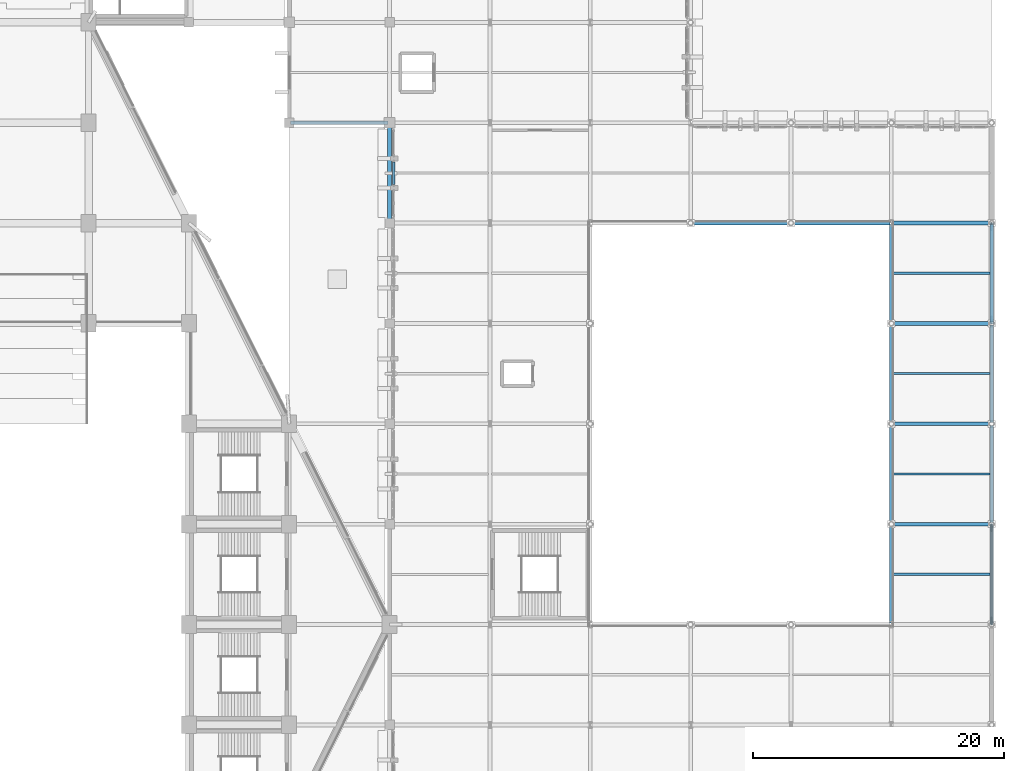
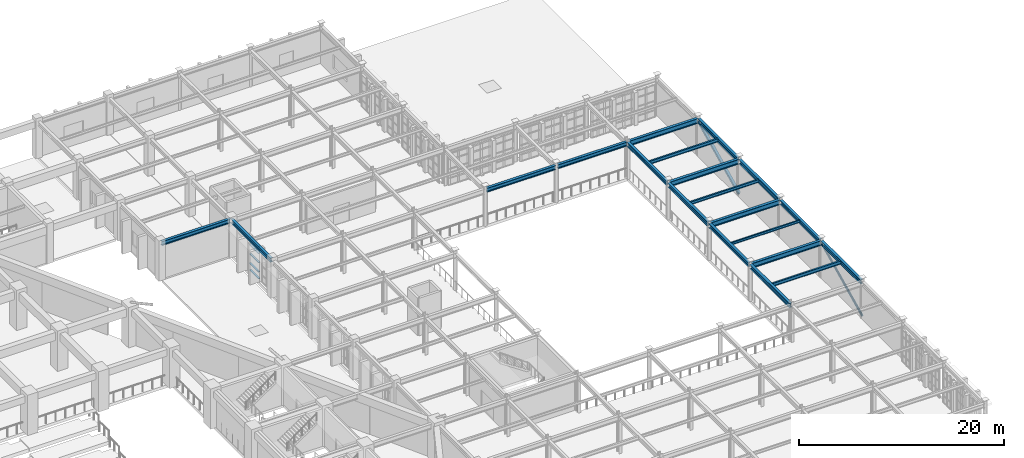
# One storey, part 41 of 155: 20 beams, 7 members, 1 element without a shape of its own.
"""IFC4 building model written with IfcOpenShell, lengths in metres."""

from ifc_helpers import new_model, si_unit, direction, frame, origin, origin_2d, place, context, subcontext, project, spatial, rectangle, hollow_circle, i_section, extrude, material, layer, layer_set, material_profile, profile_set, type_object, element, aggregate, save


model = new_model("IFC4")

# Units and contexts
model_context = context("Model", 3, precision=1e-05, world=origin(), true_north=direction((0.0, 1.0)))
body_context = subcontext(model_context, "Body", "Model", "MODEL_VIEW")
ifc_project = project(units=[si_unit("LENGTHUNIT", "METRE"), si_unit("AREAUNIT", "SQUARE_METRE"), si_unit("VOLUMEUNIT", "CUBIC_METRE"), si_unit("PLANEANGLEUNIT", "RADIAN"), si_unit("MASSUNIT", "GRAM", prefix="KILO")], contexts=[model_context])

# Site, building, storey
site_placement = place(None, origin())
site = spatial("IfcSite", under=ifc_project, at=site_placement, CompositionType="ELEMENT")
building_placement = place(site_placement, origin())
building = spatial("IfcBuilding", under=site, at=building_placement, Name="Tazarka Park Arena", CompositionType="ELEMENT")
storey_placement = place(building_placement, frame((0.0, 0.0, 5.39990234375)))
storey = spatial("IfcBuildingStorey", under=building, at=storey_placement, Name="L01", CompositionType="ELEMENT", Elevation=5.39990234375)

# Beams
ifc_material_1 = material(Name="Steel S355", Category="steel")
ifc_material_profile_1 = material_profile(ifc_material_1, i_section(OverallWidth=0.300048828125, OverallDepth=0.590087890625, WebThickness=0.012939453125, FlangeThickness=0.02490234375, FilletRadius=0.027099609375, at=origin_2d()), Name="Steel S355")
ifc_profile_set_1 = profile_set([ifc_material_profile_1], Name="Steel S355")
beam_type_1 = type_object("IfcBeamType", Name="BM-B-07", PredefinedType="BEAM", material=ifc_profile_set_1)
for number, where, z_axis, x_axis, name in (
    (1, (176.1201171875, 72.0, 4.125), (1.0, 0.0, 0.0), (0.0, 1.0, 0.0), "GXM-L01-22-09"),
    (2, (176.1201171875, 80.0, 4.125), (1.0, 0.0, 0.0), (0.0, 1.0, 0.0), "GXM-L01-22-10"),
    (3, (176.1201171875, 88.0, 4.125), (1.0, 0.0, 0.0), (0.0, 1.0, 0.0), "GXM-L01-22-11"),
    (4, (176.1201171875, 96.0, 4.125), (1.0, 0.0, 0.0), (0.0, 1.0, 0.0), "GXM-L01-22-12"),
):
    element("IfcBeam", number, at=place(storey_placement, frame(where, z_axis=z_axis, x_axis=x_axis)), inside=storey, type_object=beam_type_1, Name=name, PredefinedType="BEAM", context=body_context, shape_type="SweptSolid", body=[
        extrude(i_section(OverallWidth=0.300048828125, OverallDepth=0.590087890625, WebThickness=0.012939453125, FlangeThickness=0.02490234375, FilletRadius=0.027099609375, at=origin_2d()), origin(), (0.0, 0.0, 1.0), 7.759765625),
    ])
ifc_material_2 = material(Name="Steel S355", Category="steel")
ifc_material_profile_2 = material_profile(ifc_material_2, i_section(OverallWidth=0.300048828125, OverallDepth=0.5, WebThickness=0.014404296875, FlangeThickness=0.028076171875, FilletRadius=0.027099609375, at=origin_2d()), Name="Steel S355")
ifc_profile_set_2 = profile_set([ifc_material_profile_2], Name="Steel S355")
beam_type_2 = type_object("IfcBeamType", Name="BM-B-08", PredefinedType="BEAM", material=ifc_profile_set_2)
beam_1_placement = place(storey_placement, frame((176.0, 64.1201171875, 4.170166015625), z_axis=(0.0, 1.0, 0.0), x_axis=(-1.0, 0.0, 0.0)))
element("IfcBeam", 5, at=beam_1_placement, inside=storey, type_object=beam_type_2, Name="GYM-L01-22-08", PredefinedType="BEAM", context=body_context, shape_type="SweptSolid", body=[
    extrude(i_section(OverallWidth=0.300048828125, OverallDepth=0.5, WebThickness=0.014404296875, FlangeThickness=0.028076171875, FilletRadius=0.027099609375, at=origin_2d()), origin(), (0.0, 0.0, 1.0), 7.759765625),
])
ifc_material_3 = material(Name="Steel S355", Category="steel")
ifc_material_profile_3 = material_profile(ifc_material_3, i_section(OverallWidth=0.14990234375, OverallDepth=0.300048828125, WebThickness=0.007080078125, FlangeThickness=0.0107421875, FilletRadius=0.014892578125, at=origin_2d()), Name="Steel S355")
ifc_profile_set_3 = profile_set([ifc_material_profile_3], Name="Steel S355")
beam_type_3 = type_object("IfcBeamType", Name="BM-J-01", PredefinedType="JOIST", material=ifc_profile_set_3)
beam_2_placement = place(storey_placement, frame((176.1201171875, 76.0, 4.27001953125), z_axis=(1.0, 0.0, 0.0), x_axis=(0.0, 1.0, 0.0)))
element("IfcBeam", 6, at=beam_2_placement, inside=storey, type_object=beam_type_3, Name="JST-L01-22-09", PredefinedType="JOIST", context=body_context, shape_type="SweptSolid", body=[
    extrude(i_section(OverallWidth=0.14990234375, OverallDepth=0.300048828125, WebThickness=0.007080078125, FlangeThickness=0.0107421875, FilletRadius=0.014892578125, at=origin_2d()), origin(), (0.0, 0.0, 1.0), 7.759765625),
])
ifc_material_4 = material(Name="Steel S355", Category="steel")
ifc_material_profile_4 = material_profile(ifc_material_4, i_section(OverallWidth=0.169921875, OverallDepth=0.360107421875, WebThickness=0.008056640625, FlangeThickness=0.0126953125, FilletRadius=0.01806640625, at=origin_2d()), Name="Steel S355")
ifc_profile_set_4 = profile_set([ifc_material_profile_4], Name="Steel S355")
beam_type_4 = type_object("IfcBeamType", Name="BM-J-02", PredefinedType="JOIST", material=ifc_profile_set_4)
beam_3_placement = place(storey_placement, frame((176.1201171875, 84.0, 4.239990234375), z_axis=(1.0, 0.0, 0.0), x_axis=(0.0, 1.0, 0.0)))
element("IfcBeam", 7, at=beam_3_placement, inside=storey, type_object=beam_type_4, Name="JST-L01-22-10", PredefinedType="JOIST", context=body_context, shape_type="SweptSolid", body=[
    extrude(i_section(OverallWidth=0.169921875, OverallDepth=0.360107421875, WebThickness=0.008056640625, FlangeThickness=0.0126953125, FilletRadius=0.01806640625, at=origin_2d()), origin(), (0.0, 0.0, 1.0), 7.759765625),
])
ifc_material_5 = material(Name="Steel S355", Category="steel")
ifc_material_profile_5 = material_profile(ifc_material_5, i_section(OverallWidth=0.179931640625, OverallDepth=0.39990234375, WebThickness=0.008544921875, FlangeThickness=0.013427734375, FilletRadius=0.02099609375, at=origin_2d()), Name="Steel S355")
ifc_profile_set_5 = profile_set([ifc_material_profile_5], Name="Steel S355")
beam_type_5 = type_object("IfcBeamType", Name="BM-J-03", PredefinedType="JOIST", material=ifc_profile_set_5)
for number, where, z_axis, x_axis, name in (
    (8, (176.1201171875, 68.0, 4.22021484375), (1.0, 0.0, 0.0), (0.0, 1.0, 0.0), "JST-L01-22-08"),
    (9, (176.1201171875, 92.0, 4.22021484375), (1.0, 0.0, 0.0), (0.0, 1.0, 0.0), "JST-L01-22-11"),
):
    element("IfcBeam", number, at=place(storey_placement, frame(where, z_axis=z_axis, x_axis=x_axis)), inside=storey, type_object=beam_type_5, Name=name, PredefinedType="JOIST", context=body_context, shape_type="SweptSolid", body=[
        extrude(i_section(OverallWidth=0.179931640625, OverallDepth=0.39990234375, WebThickness=0.008544921875, FlangeThickness=0.013427734375, FilletRadius=0.02099609375, at=origin_2d()), origin(), (0.0, 0.0, 1.0), 7.759765625),
    ])
ifc_material_6 = material(Name="Steel S355", Category="steel")
ifc_material_profile_6 = material_profile(ifc_material_6, i_section(OverallWidth=0.300048828125, OverallDepth=0.489990234375, WebThickness=0.011962890625, FlangeThickness=0.02294921875, FilletRadius=0.027099609375, at=origin_2d()), Name="Steel S355")
ifc_profile_set_6 = profile_set([ifc_material_profile_6], Name="Steel S355")
beam_type_6 = type_object("IfcBeamType", Name="BM-SP-02", PredefinedType="SPANDREL", material=ifc_profile_set_6)
for number, where, z_axis, x_axis, name in (
    (10, (128.1201171875, 104.0, 4.175048828125), (1.0, 0.0, 0.0), (0.0, 1.0, 0.0), "GXM-L01-16-13"),
    (11, (136.0, 96.1201171875, 4.175048828125), (0.0, 1.0, 0.0), (-1.0, 0.0, 0.0), "GYM-L01-17-12"),
    (12, (160.1201171875, 96.0, 4.175048828125), (1.0, 0.0, 0.0), (0.0, 1.0, 0.0), "GXM-L01-20-12"),
    (13, (168.1201171875, 96.0, 4.175048828125), (1.0, 0.0, 0.0), (0.0, 1.0, 0.0), "GXM-L01-21-12"),
    (14, (176.0, 72.1201171875, 4.175048828125), (0.0, 1.0, 0.0), (-1.0, 0.0, 0.0), "GYM-L01-22-09"),
    (15, (176.0, 80.1201171875, 4.175048828125), (0.0, 1.0, 0.0), (-1.0, 0.0, 0.0), "GYM-L01-22-10"),
    (16, (176.0, 88.1201171875, 4.175048828125), (0.0, 1.0, 0.0), (-1.0, 0.0, 0.0), "GYM-L01-22-11"),
    (17, (184.0, 64.1201171875, 4.175048828125), (0.0, 1.0, 0.0), (-1.0, 0.0, 0.0), "GYM-L01-23-08"),
    (18, (184.0, 72.1201171875, 4.175048828125), (0.0, 1.0, 0.0), (-1.0, 0.0, 0.0), "GYM-L01-23-09"),
    (19, (184.0, 80.1201171875, 4.175048828125), (0.0, 1.0, 0.0), (-1.0, 0.0, 0.0), "GYM-L01-23-10"),
    (20, (184.0, 88.1201171875, 4.175048828125), (0.0, 1.0, 0.0), (-1.0, 0.0, 0.0), "GYM-L01-23-11"),
):
    element("IfcBeam", number, at=place(storey_placement, frame(where, z_axis=z_axis, x_axis=x_axis)), inside=storey, type_object=beam_type_6, Name=name, PredefinedType="SPANDREL", context=body_context, shape_type="SweptSolid", body=[
        extrude(i_section(OverallWidth=0.300048828125, OverallDepth=0.489990234375, WebThickness=0.011962890625, FlangeThickness=0.02294921875, FilletRadius=0.027099609375, at=origin_2d()), origin(), (0.0, 0.0, 1.0), 7.759765625),
    ])

# Curtain wall, members
ifc_material_7 = material(Name="Aluminium and low-e glass", Category="aluminium")
ifc_layer = layer(ifc_material_7, 0.179931640625, Name="Aluminium and low-e glass")
ifc_layer_set = layer_set([ifc_layer], Name="Aluminium and low-e glass")
curtain_wall_type = type_object("IfcCurtainWallType", Name="CW-29", PredefinedType="NOTDEFINED", material=ifc_layer_set)
curtain_wall_placement = place(storey_placement, origin())
curtain_wall = element("IfcCurtainWall", 21, at=curtain_wall_placement, inside=storey, type_object=curtain_wall_type, Name="Curtain Wall CWA-L01-149", PredefinedType="NOTDEFINED")
ifc_material_8 = material(Name="Aluminium 6060-T66", Category="aluminium")
ifc_material_profile_7 = material_profile(ifc_material_8, rectangle(XDim=0.2099609375, YDim=0.074951171875, at=origin_2d()), Name="Aluminium 6060-T66")
ifc_profile_set_7 = profile_set([ifc_material_profile_7], Name="Aluminium 6060-T66")
member_type_1 = type_object("IfcMemberType", Name="CWT-03", PredefinedType="USERDEFINED", material=ifc_profile_set_7)
member_1_placement = place(storey_placement, frame((136.320068359375, 99.086669921875, 0.03759765625), z_axis=(0.0, 1.0, 0.0), x_axis=(-1.0, 0.0, 0.0)))
member_1 = element("IfcMember", 22, at=member_1_placement, type_object=member_type_1, Name="CW-29 transom 1.1", ObjectType="TRANSOM", PredefinedType="USERDEFINED", context=body_context, shape_type="SweptSolid", body=[
    extrude(rectangle(XDim=0.2099609375, YDim=0.074951171875, at=origin_2d()), origin(), (0.0, 0.0, 1.0), 1.776611328125),
])
member_2_placement = place(storey_placement, frame((136.320068359375, 99.086669921875, 0.85009765625), z_axis=(0.0, 1.0, 0.0), x_axis=(-1.0, 0.0, 0.0)))
member_2 = element("IfcMember", 23, at=member_2_placement, type_object=member_type_1, Name="CW-29 transom 1.2", ObjectType="TRANSOM", PredefinedType="USERDEFINED", context=body_context, shape_type="SweptSolid", body=[
    extrude(rectangle(XDim=0.2099609375, YDim=0.074951171875, at=origin_2d()), origin(), (0.0, 0.0, 1.0), 1.776611328125),
])
member_3_placement = place(storey_placement, frame((136.320068359375, 99.086669921875, 1.9501953125), z_axis=(0.0, 1.0, 0.0), x_axis=(-1.0, 0.0, 0.0)))
member_3 = element("IfcMember", 24, at=member_3_placement, type_object=member_type_1, Name="CW-29 transom 1.3", ObjectType="TRANSOM", PredefinedType="USERDEFINED", context=body_context, shape_type="SweptSolid", body=[
    extrude(rectangle(XDim=0.2099609375, YDim=0.074951171875, at=origin_2d()), origin(), (0.0, 0.0, 1.0), 1.776611328125),
])
member_4_placement = place(storey_placement, frame((136.320068359375, 99.086669921875, 3.050048828125), z_axis=(0.0, 1.0, 0.0), x_axis=(-1.0, 0.0, 0.0)))
member_4 = element("IfcMember", 25, at=member_4_placement, type_object=member_type_1, Name="CW-29 transom 1.4", ObjectType="TRANSOM", PredefinedType="USERDEFINED", context=body_context, shape_type="SweptSolid", body=[
    extrude(rectangle(XDim=0.2099609375, YDim=0.074951171875, at=origin_2d()), origin(), (0.0, 0.0, 1.0), 1.776611328125),
])
member_5_placement = place(storey_placement, frame((136.320068359375, 99.086669921875, 3.87255859375), z_axis=(0.0, 1.0, 0.0), x_axis=(-1.0, 0.0, 0.0)))
member_5 = element("IfcMember", 26, at=member_5_placement, type_object=member_type_1, Name="CW-29 transom 1.5", ObjectType="TRANSOM", PredefinedType="USERDEFINED", context=body_context, shape_type="SweptSolid", body=[
    extrude(rectangle(XDim=0.2099609375, YDim=0.074951171875, at=origin_2d()), origin(), (0.0, 0.0, 1.0), 1.776611328125),
])
aggregate(curtain_wall, [member_1, member_2, member_3, member_4, member_5])

# Members
ifc_material_9 = material(Name="Steel S355", Category="steel")
ifc_material_profile_8 = material_profile(ifc_material_9, hollow_circle(Radius=0.122314453125, WallThickness=0.012451171875, at=origin_2d()), Name="Steel S355")
ifc_profile_set_8 = profile_set([ifc_material_profile_8], Name="Steel S355")
member_type_2 = type_object("IfcMemberType", Name="MEM-BR-05", PredefinedType="BRACE", material=ifc_profile_set_8)
member_6_placement = place(storey_placement, frame((184.0, 64.0, 0.2001953125), z_axis=(0.0, 0.900207542206, 0.435461113022), x_axis=(-1.0, 0.0, 0.0)))
element("IfcMember", 27, at=member_6_placement, inside=storey, type_object=member_type_2, Name="BRX-L01-02", PredefinedType="BRACE", context=body_context, shape_type="SweptSolid", body=[
    extrude(hollow_circle(Radius=0.122314453125, WallThickness=0.012451171875, at=origin_2d()), origin(), (0.0, 0.0, 1.0), 8.88671875),
])
ifc_material_10 = material(Name="Steel S355", Category="steel")
ifc_material_profile_9 = material_profile(ifc_material_10, i_section(OverallWidth=0.280029296875, OverallDepth=0.27001953125, WebThickness=0.008056640625, FlangeThickness=0.012939453125, FilletRadius=0.02392578125, at=origin_2d()), Name="Steel S355")
ifc_profile_set_9 = profile_set([ifc_material_profile_9], Name="Steel S355")
member_type_3 = type_object("IfcMemberType", Name="MEM-BR-06", PredefinedType="BRACE", material=ifc_profile_set_9)
member_7_placement = place(storey_placement, frame((184.0, 88.0, 0.2001953125), z_axis=(0.0, 0.900207542206, 0.435461113022), x_axis=(-1.0, 0.0, 0.0)))
element("IfcMember", 28, at=member_7_placement, inside=storey, type_object=member_type_3, Name="BRX-L01-03", PredefinedType="BRACE", context=body_context, shape_type="SweptSolid", body=[
    extrude(i_section(OverallWidth=0.280029296875, OverallDepth=0.27001953125, WebThickness=0.008056640625, FlangeThickness=0.012939453125, FilletRadius=0.02392578125, at=origin_2d()), origin(), (0.0, 0.0, 1.0), 8.88671875),
])

save(model, "model.ifc")
